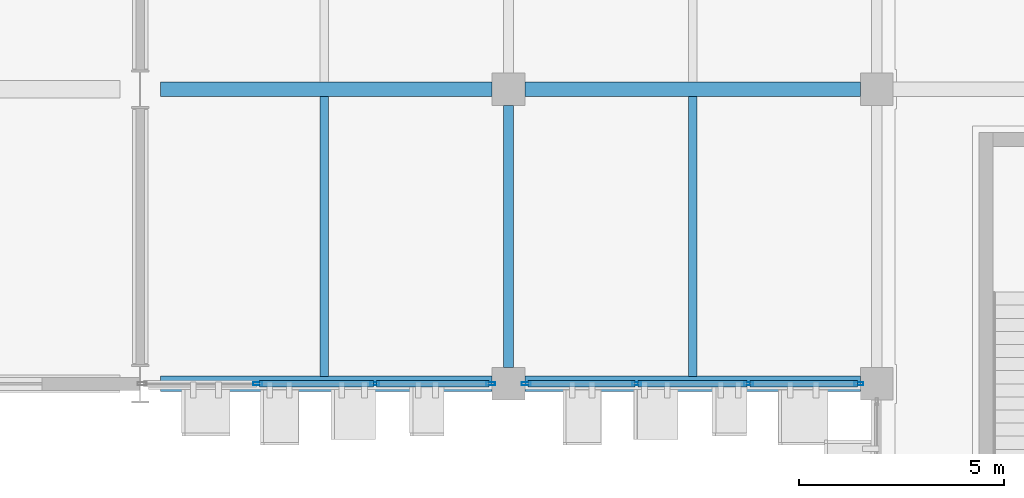
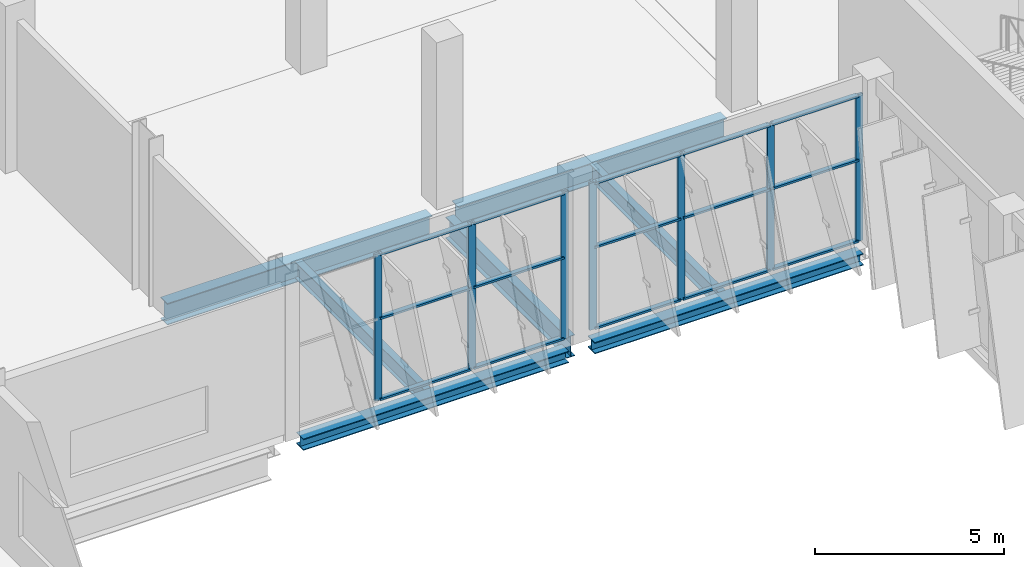
# One storey, part 30 of 137: 22 members, 7 beams, 2 elements without a shape of their own.
"""IFC4 building model written with IfcOpenShell, lengths in metres."""

from ifc_helpers import new_model, si_unit, direction, frame, origin, origin_2d, place, context, subcontext, project, spatial, hollow_rectangle, i_section, extrude, material, layer, layer_set, material_profile, profile_set, type_object, element, aggregate, save


model = new_model("IFC4")

# Units and contexts
model_context = context("Model", 3, precision=1e-05, world=origin(), true_north=direction((0.0, 1.0)))
body_context = subcontext(model_context, "Body", "Model", "MODEL_VIEW")
ifc_project = project(units=[si_unit("LENGTHUNIT", "METRE"), si_unit("AREAUNIT", "SQUARE_METRE"), si_unit("VOLUMEUNIT", "CUBIC_METRE"), si_unit("PLANEANGLEUNIT", "RADIAN"), si_unit("MASSUNIT", "GRAM", prefix="KILO")], contexts=[model_context])

# Site, building, storey
site_placement = place(None, origin())
site = spatial("IfcSite", under=ifc_project, at=site_placement, CompositionType="ELEMENT")
building_placement = place(site_placement, origin())
building = spatial("IfcBuilding", under=site, at=building_placement, Name="Celestram Park Convention Centre", CompositionType="ELEMENT")
storey_placement = place(building_placement, origin())
storey = spatial("IfcBuildingStorey", under=building, at=storey_placement, Name="L00", CompositionType="ELEMENT", Elevation=0.0)

# Curtain wall, members
ifc_material_1 = material(Name="Anodised Aluminium Alloy 6063-T6", Category="aluminium")
ifc_layer_1 = layer(ifc_material_1, 0.179931640625)
ifc_layer_set_1 = layer_set([ifc_layer_1], Name="Anodised Aluminium Alloy 6063-T6")
curtain_wall_type_1 = type_object("IfcCurtainWallType", Name="ARC-CW-820X475", PredefinedType="NOTDEFINED", material=ifc_layer_set_1)
curtain_wall_1_placement = place(storey_placement, origin())
curtain_wall_1 = element("IfcCurtainWall", 1, at=curtain_wall_1_placement, inside=storey, type_object=curtain_wall_type_1, Name="Unitised curtain wall CU-L00-036", PredefinedType="NOTDEFINED")
ifc_material_profile_1 = material_profile(ifc_material_1, hollow_rectangle(XDim=0.074951171875, YDim=0.219970703125, WallThickness=0.00390625, at=origin_2d()), Name="ALU75X220X4")
ifc_profile_set_1 = profile_set([ifc_material_profile_1], Name="Anodised Aluminium Alloy 6063-T6")
member_type_1 = type_object("IfcMemberType", Name="ARC-CWM-180", PredefinedType="MULLION", material=ifc_profile_set_1)
member_1_placement = place(storey_placement, frame((143.564453125, 21.60009765625, 0.0), z_axis=(0.0, 0.0, 1.0), x_axis=(0.0, -1.0, 0.0)))
member_1 = element("IfcMember", 2, at=member_1_placement, type_object=member_type_1, Name="CW-82X47 mullion 1", PredefinedType="MULLION", context=body_context, shape_type="SweptSolid", body=[
    extrude(hollow_rectangle(XDim=0.074951171875, YDim=0.219970703125, WallThickness=0.00390625, at=origin_2d()), origin(), (0.0, 0.0, 1.0), 4.7470703125),
])
member_2_placement = place(storey_placement, frame((140.867431640625, 21.60009765625, 0.0), z_axis=(0.0, 0.0, 1.0), x_axis=(0.0, -1.0, 0.0)))
member_2 = element("IfcMember", 3, at=member_2_placement, type_object=member_type_1, Name="CW-82X47 mullion 2", PredefinedType="MULLION", context=body_context, shape_type="SweptSolid", body=[
    extrude(hollow_rectangle(XDim=0.074951171875, YDim=0.219970703125, WallThickness=0.00390625, at=origin_2d()), origin(), (0.0, 0.0, 1.0), 4.7470703125),
])
member_3_placement = place(storey_placement, frame((138.132568359375, 21.60009765625, 0.0), z_axis=(0.0, 0.0, 1.0), x_axis=(0.0, -1.0, 0.0)))
member_3 = element("IfcMember", 4, at=member_3_placement, type_object=member_type_1, Name="CW-82X47 mullion 3", PredefinedType="MULLION", context=body_context, shape_type="SweptSolid", body=[
    extrude(hollow_rectangle(XDim=0.074951171875, YDim=0.219970703125, WallThickness=0.00390625, at=origin_2d()), origin(), (0.0, 0.0, 1.0), 4.7470703125),
])
member_4_placement = place(storey_placement, frame((135.435546875, 21.60009765625, 0.0), z_axis=(0.0, 0.0, 1.0), x_axis=(0.0, -1.0, 0.0)))
member_4 = element("IfcMember", 5, at=member_4_placement, type_object=member_type_1, Name="CW-82X47 mullion 4", PredefinedType="MULLION", context=body_context, shape_type="SweptSolid", body=[
    extrude(hollow_rectangle(XDim=0.074951171875, YDim=0.219970703125, WallThickness=0.00390625, at=origin_2d()), origin(), (0.0, 0.0, 1.0), 4.7470703125),
])

ifc_layer_2 = layer(ifc_material_1, 0.179931640625)
ifc_layer_set_2 = layer_set([ifc_layer_2], Name="Anodised Aluminium Alloy 6063-T6")
curtain_wall_type_2 = type_object("IfcCurtainWallType", Name="ARC-CW-859X475", PredefinedType="NOTDEFINED", material=ifc_layer_set_2)
curtain_wall_2_placement = place(storey_placement, origin())
curtain_wall_2 = element("IfcCurtainWall", 6, at=curtain_wall_2_placement, inside=storey, type_object=curtain_wall_type_2, Name="Unitised curtain wall CU-L00-037", PredefinedType="NOTDEFINED")
member_5_placement = place(storey_placement, frame((134.564453125, 21.60009765625, 0.0), z_axis=(0.0, 0.0, 1.0), x_axis=(0.0, -1.0, 0.0)))
member_5 = element("IfcMember", 7, at=member_5_placement, type_object=member_type_1, Name="CW-85X47 mullion 1", PredefinedType="MULLION", context=body_context, shape_type="SweptSolid", body=[
    extrude(hollow_rectangle(XDim=0.074951171875, YDim=0.219970703125, WallThickness=0.00390625, at=origin_2d()), origin(), (0.0, 0.0, 1.0), 4.7470703125),
])
member_6_placement = place(storey_placement, frame((131.738037109375, 21.60009765625, 0.0), z_axis=(0.0, 0.0, 1.0), x_axis=(0.0, -1.0, 0.0)))
member_6 = element("IfcMember", 8, at=member_6_placement, type_object=member_type_1, Name="CW-85X47 mullion 2", PredefinedType="MULLION", context=body_context, shape_type="SweptSolid", body=[
    extrude(hollow_rectangle(XDim=0.074951171875, YDim=0.219970703125, WallThickness=0.00390625, at=origin_2d()), origin(), (0.0, 0.0, 1.0), 4.7470703125),
])
member_7_placement = place(storey_placement, frame((128.8740234375, 21.60009765625, 0.0), z_axis=(0.0, 0.0, 1.0), x_axis=(0.0, -1.0, 0.0)))
member_7 = element("IfcMember", 9, at=member_7_placement, type_object=member_type_1, Name="CW-85X47 mullion 3", PredefinedType="MULLION", context=body_context, shape_type="SweptSolid", body=[
    extrude(hollow_rectangle(XDim=0.074951171875, YDim=0.219970703125, WallThickness=0.00390625, at=origin_2d()), origin(), (0.0, 0.0, 1.0), 4.7470703125),
])

# Member
ifc_material_profile_2 = material_profile(ifc_material_1, hollow_rectangle(XDim=0.14990234375, YDim=0.06494140625, WallThickness=0.0029296875, at=origin_2d()), Name="ALU150X65X3")
ifc_profile_set_2 = profile_set([ifc_material_profile_2], Name="Anodised Aluminium Alloy 6063-T6")
member_type_2 = type_object("IfcMemberType", Name="ARC-CWT-150", PredefinedType="USERDEFINED", material=ifc_profile_set_2)
member_8_placement = place(storey_placement, frame((143.527099609375, 21.60009765625, 0.032470703125), z_axis=(-1.0, 0.0, 0.0), x_axis=(0.0, -1.0, 0.0)))
member_8 = element("IfcMember", 10, at=member_8_placement, type_object=member_type_2, Name="CW-82X47 transom 1.1", ObjectType="TRANSOM", PredefinedType="USERDEFINED", context=body_context, shape_type="SweptSolid", body=[
    extrude(hollow_rectangle(XDim=0.14990234375, YDim=0.06494140625, WallThickness=0.0029296875, at=origin_2d()), origin(), (0.0, 0.0, 1.0), 2.622314453125),
])

member_9_placement = place(storey_placement, frame((143.527099609375, 21.60009765625, 2.64990234375), z_axis=(-1.0, 0.0, 0.0), x_axis=(0.0, -1.0, 0.0)))
member_9 = element("IfcMember", 11, at=member_9_placement, type_object=member_type_2, Name="CW-82X47 transom 1.2", ObjectType="TRANSOM", PredefinedType="USERDEFINED", context=body_context, shape_type="SweptSolid", body=[
    extrude(hollow_rectangle(XDim=0.14990234375, YDim=0.06494140625, WallThickness=0.0029296875, at=origin_2d()), origin(), (0.0, 0.0, 1.0), 2.622314453125),
])

member_10_placement = place(storey_placement, frame((143.527099609375, 21.60009765625, 4.714599609375), z_axis=(-1.0, 0.0, 0.0), x_axis=(0.0, -1.0, 0.0)))
member_10 = element("IfcMember", 12, at=member_10_placement, type_object=member_type_2, Name="CW-82X47 transom 1.3", ObjectType="TRANSOM", PredefinedType="USERDEFINED", context=body_context, shape_type="SweptSolid", body=[
    extrude(hollow_rectangle(XDim=0.14990234375, YDim=0.06494140625, WallThickness=0.0029296875, at=origin_2d()), origin(), (0.0, 0.0, 1.0), 2.622314453125),
])

member_11_placement = place(storey_placement, frame((140.829833984375, 21.60009765625, 0.032470703125), z_axis=(-1.0, 0.0, 0.0), x_axis=(0.0, -1.0, 0.0)))
member_11 = element("IfcMember", 13, at=member_11_placement, type_object=member_type_2, Name="CW-82X47 transom 2.1", ObjectType="TRANSOM", PredefinedType="USERDEFINED", context=body_context, shape_type="SweptSolid", body=[
    extrude(hollow_rectangle(XDim=0.14990234375, YDim=0.06494140625, WallThickness=0.0029296875, at=origin_2d()), origin(), (0.0, 0.0, 1.0), 2.65966796875),
])

member_12_placement = place(storey_placement, frame((140.829833984375, 21.60009765625, 2.64990234375), z_axis=(-1.0, 0.0, 0.0), x_axis=(0.0, -1.0, 0.0)))
member_12 = element("IfcMember", 14, at=member_12_placement, type_object=member_type_2, Name="CW-82X47 transom 2.2", ObjectType="TRANSOM", PredefinedType="USERDEFINED", context=body_context, shape_type="SweptSolid", body=[
    extrude(hollow_rectangle(XDim=0.14990234375, YDim=0.06494140625, WallThickness=0.0029296875, at=origin_2d()), origin(), (0.0, 0.0, 1.0), 2.65966796875),
])

member_13_placement = place(storey_placement, frame((140.829833984375, 21.60009765625, 4.714599609375), z_axis=(-1.0, 0.0, 0.0), x_axis=(0.0, -1.0, 0.0)))
member_13 = element("IfcMember", 15, at=member_13_placement, type_object=member_type_2, Name="CW-82X47 transom 2.3", ObjectType="TRANSOM", PredefinedType="USERDEFINED", context=body_context, shape_type="SweptSolid", body=[
    extrude(hollow_rectangle(XDim=0.14990234375, YDim=0.06494140625, WallThickness=0.0029296875, at=origin_2d()), origin(), (0.0, 0.0, 1.0), 2.65966796875),
])

member_14_placement = place(storey_placement, frame((138.09521484375, 21.60009765625, 0.032470703125), z_axis=(-1.0, 0.0, 0.0), x_axis=(0.0, -1.0, 0.0)))
member_14 = element("IfcMember", 16, at=member_14_placement, type_object=member_type_2, Name="CW-82X47 transom 3.1", ObjectType="TRANSOM", PredefinedType="USERDEFINED", context=body_context, shape_type="SweptSolid", body=[
    extrude(hollow_rectangle(XDim=0.14990234375, YDim=0.06494140625, WallThickness=0.0029296875, at=origin_2d()), origin(), (0.0, 0.0, 1.0), 2.622314453125),
])

member_15_placement = place(storey_placement, frame((138.09521484375, 21.60009765625, 2.64990234375), z_axis=(-1.0, 0.0, 0.0), x_axis=(0.0, -1.0, 0.0)))
member_15 = element("IfcMember", 17, at=member_15_placement, type_object=member_type_2, Name="CW-82X47 transom 3.2", ObjectType="TRANSOM", PredefinedType="USERDEFINED", context=body_context, shape_type="SweptSolid", body=[
    extrude(hollow_rectangle(XDim=0.14990234375, YDim=0.06494140625, WallThickness=0.0029296875, at=origin_2d()), origin(), (0.0, 0.0, 1.0), 2.622314453125),
])

member_16_placement = place(storey_placement, frame((138.09521484375, 21.60009765625, 4.714599609375), z_axis=(-1.0, 0.0, 0.0), x_axis=(0.0, -1.0, 0.0)))
member_16 = element("IfcMember", 18, at=member_16_placement, type_object=member_type_2, Name="CW-82X47 transom 3.3", ObjectType="TRANSOM", PredefinedType="USERDEFINED", context=body_context, shape_type="SweptSolid", body=[
    extrude(hollow_rectangle(XDim=0.14990234375, YDim=0.06494140625, WallThickness=0.0029296875, at=origin_2d()), origin(), (0.0, 0.0, 1.0), 2.622314453125),
])

aggregate(curtain_wall_1, [member_1, member_2, member_3, member_4, member_8, member_9, member_10, member_11, member_12, member_13, member_14, member_15, member_16])

member_17_placement = place(storey_placement, frame((134.527099609375, 21.60009765625, 0.032470703125), z_axis=(-1.0, 0.0, 0.0), x_axis=(0.0, -1.0, 0.0)))
member_17 = element("IfcMember", 19, at=member_17_placement, type_object=member_type_2, Name="CW-85X47 transom 1.1", ObjectType="TRANSOM", PredefinedType="USERDEFINED", context=body_context, shape_type="SweptSolid", body=[
    extrude(hollow_rectangle(XDim=0.14990234375, YDim=0.06494140625, WallThickness=0.0029296875, at=origin_2d()), origin(), (0.0, 0.0, 1.0), 2.751708984375),
])

member_18_placement = place(storey_placement, frame((134.527099609375, 21.60009765625, 2.64990234375), z_axis=(-1.0, 0.0, 0.0), x_axis=(0.0, -1.0, 0.0)))
member_18 = element("IfcMember", 20, at=member_18_placement, type_object=member_type_2, Name="CW-85X47 transom 1.2", ObjectType="TRANSOM", PredefinedType="USERDEFINED", context=body_context, shape_type="SweptSolid", body=[
    extrude(hollow_rectangle(XDim=0.14990234375, YDim=0.06494140625, WallThickness=0.0029296875, at=origin_2d()), origin(), (0.0, 0.0, 1.0), 2.751708984375),
])

member_19_placement = place(storey_placement, frame((134.527099609375, 21.60009765625, 4.714599609375), z_axis=(-1.0, 0.0, 0.0), x_axis=(0.0, -1.0, 0.0)))
member_19 = element("IfcMember", 21, at=member_19_placement, type_object=member_type_2, Name="CW-85X47 transom 1.3", ObjectType="TRANSOM", PredefinedType="USERDEFINED", context=body_context, shape_type="SweptSolid", body=[
    extrude(hollow_rectangle(XDim=0.14990234375, YDim=0.06494140625, WallThickness=0.0029296875, at=origin_2d()), origin(), (0.0, 0.0, 1.0), 2.751708984375),
])

member_20_placement = place(storey_placement, frame((131.700439453125, 21.60009765625, 0.032470703125), z_axis=(-1.0, 0.0, 0.0), x_axis=(0.0, -1.0, 0.0)))
member_20 = element("IfcMember", 22, at=member_20_placement, type_object=member_type_2, Name="CW-85X47 transom 2.1", ObjectType="TRANSOM", PredefinedType="USERDEFINED", context=body_context, shape_type="SweptSolid", body=[
    extrude(hollow_rectangle(XDim=0.14990234375, YDim=0.06494140625, WallThickness=0.0029296875, at=origin_2d()), origin(), (0.0, 0.0, 1.0), 2.788818359375),
])

member_21_placement = place(storey_placement, frame((131.700439453125, 21.60009765625, 2.64990234375), z_axis=(-1.0, 0.0, 0.0), x_axis=(0.0, -1.0, 0.0)))
member_21 = element("IfcMember", 23, at=member_21_placement, type_object=member_type_2, Name="CW-85X47 transom 2.2", ObjectType="TRANSOM", PredefinedType="USERDEFINED", context=body_context, shape_type="SweptSolid", body=[
    extrude(hollow_rectangle(XDim=0.14990234375, YDim=0.06494140625, WallThickness=0.0029296875, at=origin_2d()), origin(), (0.0, 0.0, 1.0), 2.788818359375),
])

member_22_placement = place(storey_placement, frame((131.700439453125, 21.60009765625, 4.714599609375), z_axis=(-1.0, 0.0, 0.0), x_axis=(0.0, -1.0, 0.0)))
member_22 = element("IfcMember", 24, at=member_22_placement, type_object=member_type_2, Name="CW-85X47 transom 2.3", ObjectType="TRANSOM", PredefinedType="USERDEFINED", context=body_context, shape_type="SweptSolid", body=[
    extrude(hollow_rectangle(XDim=0.14990234375, YDim=0.06494140625, WallThickness=0.0029296875, at=origin_2d()), origin(), (0.0, 0.0, 1.0), 2.788818359375),
])

aggregate(curtain_wall_2, [member_5, member_6, member_7, member_17, member_18, member_19, member_20, member_21, member_22])

# Beams
ifc_material_2 = material(Name="Steel ASTM A992 Grade 50", Category="steel")
ifc_material_profile_3 = material_profile(ifc_material_2, i_section(OverallWidth=0.35595703125, OverallDepth=0.696044921875, WebThickness=0.015380859375, FlangeThickness=0.02490234375, at=origin_2d()), Name="W27X146")
ifc_profile_set_3 = profile_set([ifc_material_profile_3], Name="Steel ASTM A992 Grade 50")
beam_type_1 = type_object("IfcBeamType", Name="STR-BM-W27X146", PredefinedType="BEAM", material=ifc_profile_set_3)
beam_1_placement = place(storey_placement, frame((126.498046875, 28.800048828125, -0.66796875), z_axis=(1.0, 0.0, 0.0), x_axis=(0.0, 1.0, 0.0)))
element("IfcBeam", 25, at=beam_1_placement, inside=storey, type_object=beam_type_1, Name="Primary X-girder BG-L00-0585", PredefinedType="BEAM", context=body_context, shape_type="SweptSolid", body=[
    extrude(i_section(OverallWidth=0.35595703125, OverallDepth=0.696044921875, WebThickness=0.015380859375, FlangeThickness=0.02490234375, at=origin_2d()), origin(), (0.0, 0.0, 1.0), 8.10400390625),
])
beam_2_placement = place(storey_placement, frame((135.39794921875, 28.800048828125, -0.66796875), z_axis=(1.0, 0.0, 0.0), x_axis=(0.0, 1.0, 0.0)))
element("IfcBeam", 26, at=beam_2_placement, inside=storey, type_object=beam_type_1, Name="Primary X-girder BG-L00-0623", PredefinedType="BEAM", context=body_context, shape_type="SweptSolid", body=[
    extrude(i_section(OverallWidth=0.35595703125, OverallDepth=0.696044921875, WebThickness=0.015380859375, FlangeThickness=0.02490234375, at=origin_2d()), origin(), (0.0, 0.0, 1.0), 8.2041015625),
])
ifc_material_profile_4 = material_profile(ifc_material_2, i_section(OverallWidth=0.25390625, OverallDepth=0.68310546875, WebThickness=0.012451171875, FlangeThickness=0.01904296875, at=origin_2d()), Name="W27X94")
ifc_profile_set_4 = profile_set([ifc_material_profile_4], Name="Steel ASTM A992 Grade 50")
beam_type_2 = type_object("IfcBeamType", Name="STR-BM-W27X94", PredefinedType="BEAM", material=ifc_profile_set_4)
beam_3_placement = place(storey_placement, frame((135.0, 21.998046875, -0.66162109375), z_axis=(0.0, 1.0, 0.0), x_axis=(-1.0, 0.0, 0.0)))
element("IfcBeam", 27, at=beam_3_placement, inside=storey, type_object=beam_type_2, Name="Primary Y-girder BG-L00-0622", PredefinedType="BEAM", context=body_context, shape_type="SweptSolid", body=[
    extrude(i_section(OverallWidth=0.25390625, OverallDepth=0.68310546875, WebThickness=0.012451171875, FlangeThickness=0.01904296875, at=origin_2d()), origin(), (0.0, 0.0, 1.0), 6.404052734375),
])
ifc_material_profile_5 = material_profile(ifc_material_2, i_section(OverallWidth=0.2099609375, OverallDepth=0.532958984375, WebThickness=0.01025390625, FlangeThickness=0.015625, at=origin_2d()), Name="W21X62")
ifc_profile_set_5 = profile_set([ifc_material_profile_5], Name="Steel ASTM A992 Grade 50")
beam_type_3 = type_object("IfcBeamType", Name="STR-JST-W21X62", PredefinedType="JOIST", material=ifc_profile_set_5)
for number, where, z_axis, x_axis, name in (
    (28, (130.5, 21.781982421875, -0.58642578125), (0.0, 1.0, 0.0), (-1.0, 0.0, 0.0), "Secondary composite joist BG-L00-1140"),
    (29, (139.5, 21.781982421875, -0.58642578125), (0.0, 1.0, 0.0), (-1.0, 0.0, 0.0), "Secondary composite joist BG-L00-1155"),
):
    element("IfcBeam", number, at=place(storey_placement, frame(where, z_axis=z_axis, x_axis=x_axis)), inside=storey, type_object=beam_type_3, Name=name, PredefinedType="JOIST", context=body_context, shape_type="SweptSolid", body=[
        extrude(i_section(OverallWidth=0.2099609375, OverallDepth=0.532958984375, WebThickness=0.01025390625, FlangeThickness=0.015625, at=origin_2d()), origin(), (0.0, 0.0, 1.0), 6.843994140625),
    ])
ifc_material_profile_6 = material_profile(ifc_material_2, i_section(OverallWidth=0.373046875, OverallDepth=0.373046875, WebThickness=0.016357421875, FlangeThickness=0.026123046875, at=origin_2d()), Name="W14X132")
ifc_profile_set_6 = profile_set([ifc_material_profile_6], Name="Steel ASTM A992 Grade 50")
beam_type_4 = type_object("IfcBeamType", Name="STR-SPN-W14X132", PredefinedType="SPANDREL", material=ifc_profile_set_6)
beam_4_placement = place(storey_placement, frame((126.498046875, 21.60009765625, -0.506591796875), z_axis=(1.0, 0.0, 0.0), x_axis=(0.0, 1.0, 0.0)))
element("IfcBeam", 30, at=beam_4_placement, inside=storey, type_object=beam_type_4, Name="Primary X-girder BG-L00-0583", PredefinedType="SPANDREL", context=body_context, shape_type="SweptSolid", body=[
    extrude(i_section(OverallWidth=0.373046875, OverallDepth=0.373046875, WebThickness=0.016357421875, FlangeThickness=0.026123046875, at=origin_2d()), origin(), (0.0, 0.0, 1.0), 8.10400390625),
])
beam_5_placement = place(storey_placement, frame((135.39794921875, 21.60009765625, -0.506591796875), z_axis=(1.0, 0.0, 0.0), x_axis=(0.0, 1.0, 0.0)))
element("IfcBeam", 31, at=beam_5_placement, inside=storey, type_object=beam_type_4, Name="Primary X-girder BG-L00-0621", PredefinedType="SPANDREL", context=body_context, shape_type="SweptSolid", body=[
    extrude(i_section(OverallWidth=0.373046875, OverallDepth=0.373046875, WebThickness=0.016357421875, FlangeThickness=0.026123046875, at=origin_2d()), origin(), (0.0, 0.0, 1.0), 8.2041015625),
])

save(model, "model.ifc")
